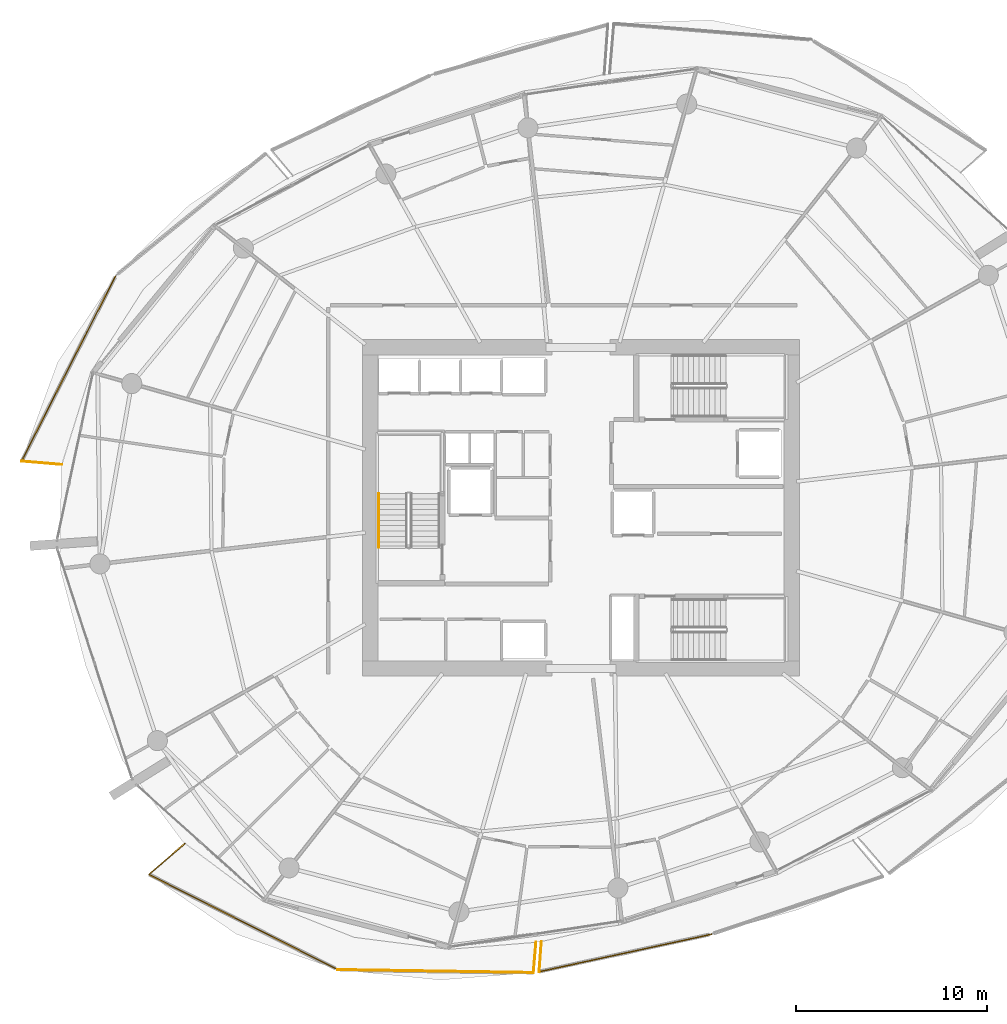
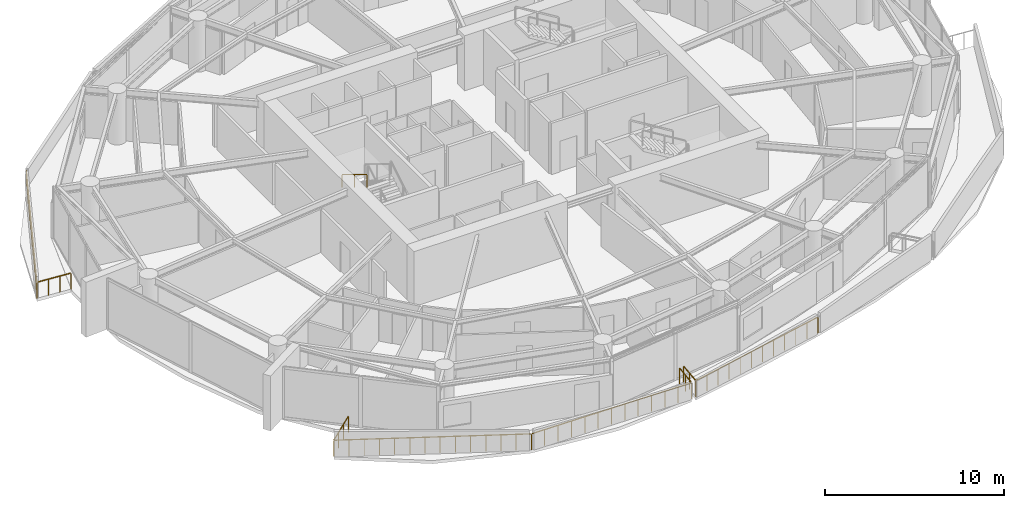
# One storey, part 16 of 20: 9 railings.
"""IFC4 building model written with IfcOpenShell, lengths in metres."""

import ifcopenshell
import ifcopenshell.guid

model = None  # the IFC model being written
_history = None  # IfcOwnerHistory: only IFC2X3 demands one
_inside = {}  # id of a spatial element -> (the spatial element, [elements in it])
_under = {}  # id of a project, library or spatial element -> (it, [spatial elements below it])
_declared = {}  # id of a project -> (the project, [libraries it declares])
_typed = {}  # id of a type object -> (the type object, [elements of that type])
_made_of = {}  # id of a material, layer set ... -> (it, [elements and type objects made of it])


def new_model(schema):
    """Start an empty IFC model of exactly this schema.

    Asked for "IFC4X3", IfcOpenShell would pick the latest addendum, in which some entities
    have other attributes; the version numbers below select the first issue.
    IFC2X3 requires an IfcOwnerHistory on every rooted entity: one is made here for all.
    """
    global model, _history
    if schema == "IFC4X3":
        model = ifcopenshell.file(schema_version=(4, 3, 0, 0))
    else:
        model = ifcopenshell.file(schema=schema)
    _inside.clear()
    _under.clear()
    _declared.clear()
    _typed.clear()
    _made_of.clear()
    _history = None
    if model.schema == "IFC2X3":
        org = make("IfcOrganization", Name="unknown")
        user = make(
            "IfcPersonAndOrganization",
            ThePerson=make("IfcPerson", FamilyName="unknown"),
            TheOrganization=org,
        )
        app = make(
            "IfcApplication",
            ApplicationDeveloper=org,
            Version="unknown",
            ApplicationFullName="unknown",
            ApplicationIdentifier="unknown",
        )
        _history = make(
            "IfcOwnerHistory",
            OwningUser=user,
            OwningApplication=app,
            ChangeAction="ADDED",
            CreationDate=0,
        )
    return model


def make(cls, **values):
    """One entity of the class cls with the attributes given. An attribute that is None is left unset."""
    return model.create_entity(
        cls, **{name: value for name, value in values.items() if value is not None}
    )


def rooted(cls, **values):
    """An entity with a GlobalId (a new one), such as an element, a storey or a relation."""
    return make(cls, GlobalId=ifcopenshell.guid.new(), OwnerHistory=_history, **values)


def si_unit(unit_type, name, prefix=None):
    """IfcSIUnit, for example si_unit("LENGTHUNIT", "METRE", prefix="MILLI")."""
    return make("IfcSIUnit", UnitType=unit_type, Prefix=prefix, Name=name)


def assignment(units):
    """IfcUnitAssignment: the units of a project."""
    return None if units is None else make("IfcUnitAssignment", Units=units)


def point(xyz):
    """IfcCartesianPoint."""
    return None if xyz is None else make("IfcCartesianPoint", Coordinates=xyz)


def direction(xyz):
    """IfcDirection."""
    return None if xyz is None else make("IfcDirection", DirectionRatios=xyz)


def frame(location, z_axis=None, x_axis=None):
    """IfcAxis2Placement3D, a coordinate frame: its origin and axes. An axis left out is left unset."""
    return make(
        "IfcAxis2Placement3D",
        Location=point(location),
        Axis=direction(z_axis),
        RefDirection=direction(x_axis),
    )


def frame_2d(location, x_axis=None):
    """IfcAxis2Placement2D, a coordinate frame in the plane: its origin and x axis."""
    return make(
        "IfcAxis2Placement2D", Location=point(location), RefDirection=direction(x_axis)
    )


def origin():
    """The frame at (0, 0, 0) with its axes left unset."""
    return frame((0.0, 0.0, 0.0))


def origin_2d():
    """The frame at (0, 0) in the plane with its x axis left unset."""
    return frame_2d((0.0, 0.0))


def place(relative_to, where):
    """IfcLocalPlacement: puts the frame where relative to a parent placement (None: the world)."""
    return make(
        "IfcLocalPlacement", PlacementRelTo=relative_to, RelativePlacement=where
    )


def context(
    kind, dimensions, precision=None, world=None, true_north=None, identifier=None
):
    """IfcGeometricRepresentationContext, for example the 3D "Model" context."""
    return make(
        "IfcGeometricRepresentationContext",
        ContextIdentifier=identifier,
        ContextType=kind,
        CoordinateSpaceDimension=dimensions,
        Precision=precision,
        WorldCoordinateSystem=world,
        TrueNorth=true_north,
    )


def subcontext(parent, identifier, kind, view, scale=None):
    """IfcGeometricRepresentationSubContext, for example "Body" below "Model"."""
    return make(
        "IfcGeometricRepresentationSubContext",
        ContextIdentifier=identifier,
        ContextType=kind,
        ParentContext=parent,
        TargetScale=scale,
        TargetView=view,
    )


def project(units=None, contexts=None):
    """IfcProject with its units and contexts."""
    return rooted(
        "IfcProject",
        Name="project",
        RepresentationContexts=contexts,
        UnitsInContext=assignment(units),
    )


def spatial(cls, under=None, at=None, **own):
    """A site, building, storey or space (cls), placed at a placement, below another one or the project."""
    s = rooted(cls, ObjectPlacement=at, **own)
    if under is not None:
        _under.setdefault(under.id(), (under, []))[1].append(s)
    return s


def profile(cls, at=None, kind="AREA", **sizes):
    """A parametric profile (cls). Its sizes go by their IFC names, for example OverallWidth=200.0."""
    return make(cls, ProfileType=kind, Position=at, **sizes)


def rectangle(**sizes):
    """IfcRectangleProfileDef."""
    return profile("IfcRectangleProfileDef", **sizes)


def extrude(swept, where, along, depth):
    """IfcExtrudedAreaSolid: the profile swept, set in the frame where, extruded along a direction by depth."""
    return make(
        "IfcExtrudedAreaSolid",
        SweptArea=swept,
        Position=where,
        ExtrudedDirection=direction(along),
        Depth=depth,
    )


def shape(context_of_items, identifier, shape_type, items):
    """IfcShapeRepresentation: the items that make up one representation, for example the "Body"."""
    return make(
        "IfcShapeRepresentation",
        ContextOfItems=context_of_items,
        RepresentationIdentifier=identifier,
        RepresentationType=shape_type,
        Items=items,
    )


def material(Name=None, Category=None):
    """IfcMaterial."""
    return make("IfcMaterial", Name=Name, Category=Category)


def made_of(thing, what):
    """Note that an element or type object is made of a material, layer set ...; save() writes the relation."""
    if what is not None:
        _made_of.setdefault(what.id(), (what, []))[1].append(thing)
    return thing


def type_object(cls, material=None, **own):
    """A type object (cls), such as IfcWallType, which elements share."""
    return made_of(rooted(cls, **own), material)


def element(
    cls,
    number,
    at=None,
    inside=None,
    cuts=None,
    type_object=None,
    material=None,
    context=None,
    identifier="Body",
    shape_type=None,
    held_by="IfcProductDefinitionShape",
    body=None,
    shapes=None,
    **own,
):
    """One element of the class cls, such as IfcWall. Its Tag is "e" and its number.

    at: its placement. inside: the storey or other place that contains it. cuts: it is an
    opening in that element (IfcRelVoidsElement). A single representation is given by context,
    identifier, shape_type and body (its items); several are given by shapes. held_by: the class
    of the entity that holds the representations. save() writes the other relations.
    """
    e = rooted(cls, Tag="e%d" % number, ObjectPlacement=at, **own)
    if body is not None:
        shapes = [shape(context, identifier, shape_type, body)]
    if shapes is not None:
        e.Representation = make(held_by, Representations=shapes)
    if inside is not None:
        _inside.setdefault(inside.id(), (inside, []))[1].append(e)
    if cuts is not None:
        rooted(
            "IfcRelVoidsElement", RelatingBuildingElement=cuts, RelatedOpeningElement=e
        )
    if type_object is not None:
        _typed.setdefault(type_object.id(), (type_object, []))[1].append(e)
    return made_of(e, material)


def aggregate(whole, parts):
    """IfcRelAggregates: a whole, such as a stair, and the parts it consists of."""
    return rooted("IfcRelAggregates", RelatingObject=whole, RelatedObjects=parts)


def save(model, path):
    """Write the relations noted so far, then the file.

    IfcRelAggregates (storeys below a building ...), IfcRelContainedInSpatialStructure (elements
    in a storey), IfcRelDefinesByType, IfcRelAssociatesMaterial and IfcRelDeclares: one each for
    every whole, place, type object, material and project.
    """
    for whole, parts in _under.values():
        aggregate(whole, parts)
    for where, things in _inside.values():
        rooted(
            "IfcRelContainedInSpatialStructure",
            RelatedElements=things,
            RelatingStructure=where,
        )
    for kind, things in _typed.values():
        rooted("IfcRelDefinesByType", RelatedObjects=things, RelatingType=kind)
    for what, things in _made_of.values():
        rooted("IfcRelAssociatesMaterial", RelatedObjects=things, RelatingMaterial=what)
    for by, libraries in _declared.values():
        rooted("IfcRelDeclares", RelatingContext=by, RelatedDefinitions=libraries)
    model.write(path)


model = new_model("IFC4")

# Units and contexts
model_context = context("Model", 3, precision=1e-05, world=origin(), true_north=direction((0.0, 1.0)))
body_context = subcontext(model_context, "Body", "Model", "MODEL_VIEW")
ifc_project = project(units=[si_unit("LENGTHUNIT", "METRE"), si_unit("AREAUNIT", "SQUARE_METRE"), si_unit("VOLUMEUNIT", "CUBIC_METRE"), si_unit("PLANEANGLEUNIT", "RADIAN"), si_unit("MASSUNIT", "GRAM", prefix="KILO")], contexts=[model_context])

# Site, building, storey
site_placement = place(None, origin())
site = spatial("IfcSite", under=ifc_project, at=site_placement, CompositionType="ELEMENT")
building_placement = place(site_placement, origin())
building = spatial("IfcBuilding", under=site, at=building_placement, Name="Kazma Halo Residences", CompositionType="ELEMENT")
storey_placement = place(building_placement, frame((0.0, 0.0, 157.800048828125)))
storey = spatial("IfcBuildingStorey", under=building, at=storey_placement, Name="L39", CompositionType="ELEMENT", Elevation=157.800048828125)

# Railings
ifc_material_1 = material(Name="Aluminium AW-6063 T6 Brushed Cap Rail", Category="aluminium")
railing_type_1 = type_object("IfcRailingType", Name="RLG-BAL-CAP-1120", PredefinedType="BALUSTRADE", material=ifc_material_1)
railing_1_placement = place(storey_placement, frame((24.101318359375, 54.177001953125, 0.0)))
element("IfcRailing", 1, at=railing_1_placement, inside=storey, type_object=railing_type_1, Name="L39 NW wave balcony guard 3", PredefinedType="BALUSTRADE", context=body_context, shape_type="SweptSolid", body=[
    extrude(rectangle(XDim=0.050048828125, YDim=0.050048828125, at=origin_2d()), frame((-0.019287109375, -0.037841796875, 1.09521484375), z_axis=(-0.452406315064, -0.891811934261, 0.0), x_axis=(0.891811934261, -0.452406315064, 0.0)), (0.0, 0.0, 1.0), 10.825439453125),
    extrude(rectangle(XDim=0.0400390625, YDim=0.0400390625, at=origin_2d()), origin(), (0.0, 0.0, 1.0), 1.05810546875),
    extrude(rectangle(XDim=0.0400390625, YDim=0.0400390625, at=origin_2d()), frame((-0.379638671875, -0.74853515625, 0.0)), (0.0, 0.0, 1.0), 1.05810546875),
    extrude(rectangle(XDim=0.0400390625, YDim=0.0400390625, at=origin_2d()), frame((-0.75927734375, -1.4970703125, 0.0)), (0.0, 0.0, 1.0), 1.05810546875),
    extrude(rectangle(XDim=0.0400390625, YDim=0.0400390625, at=origin_2d()), frame((-1.13916015625, -2.245361328125, 0.0)), (0.0, 0.0, 1.0), 1.05810546875),
    extrude(rectangle(XDim=0.0400390625, YDim=0.0400390625, at=origin_2d()), frame((-1.518798828125, -2.993896484375, 0.0)), (0.0, 0.0, 1.0), 1.05810546875),
    extrude(rectangle(XDim=0.0400390625, YDim=0.0400390625, at=origin_2d()), frame((-1.8984375, -3.742431640625, 0.0)), (0.0, 0.0, 1.0), 1.05810546875),
    extrude(rectangle(XDim=0.0400390625, YDim=0.0400390625, at=origin_2d()), frame((-2.278076171875, -4.490966796875, 0.0)), (0.0, 0.0, 1.0), 1.05810546875),
    extrude(rectangle(XDim=0.0400390625, YDim=0.0400390625, at=origin_2d()), frame((-2.657958984375, -5.2392578125, 0.0)), (0.0, 0.0, 1.0), 1.05810546875),
    extrude(rectangle(XDim=0.0400390625, YDim=0.0400390625, at=origin_2d()), frame((-3.03759765625, -5.98779296875, 0.0)), (0.0, 0.0, 1.0), 1.05810546875),
    extrude(rectangle(XDim=0.0400390625, YDim=0.0400390625, at=origin_2d()), frame((-3.417236328125, -6.736328125, 0.0)), (0.0, 0.0, 1.0), 1.05810546875),
    extrude(rectangle(XDim=0.0400390625, YDim=0.0400390625, at=origin_2d()), frame((-3.796875, -7.48486328125, 0.0)), (0.0, 0.0, 1.0), 1.05810546875),
    extrude(rectangle(XDim=0.0400390625, YDim=0.0400390625, at=origin_2d()), frame((-4.1767578125, -8.233154296875, 0.0)), (0.0, 0.0, 1.0), 1.05810546875),
    extrude(rectangle(XDim=0.0400390625, YDim=0.0400390625, at=origin_2d()), frame((-4.556396484375, -8.981689453125, 0.0)), (0.0, 0.0, 1.0), 1.05810546875),
    extrude(rectangle(XDim=0.0400390625, YDim=0.0400390625, at=origin_2d()), frame((-4.93603515625, -9.730224609375, 0.0)), (0.0, 0.0, 1.0), 1.05810546875),
])
railing_2_placement = place(storey_placement, frame((19.165283203125, 44.44677734375, 0.0)))
element("IfcRailing", 2, at=railing_2_placement, inside=storey, type_object=railing_type_1, Name="L39 NW wave balcony guard 4", PredefinedType="BALUSTRADE", context=body_context, shape_type="SweptSolid", body=[
    extrude(rectangle(XDim=0.050048828125, YDim=0.050048828125, at=origin_2d()), frame((0.04248046875, -0.003662109375, 1.09521484375), z_axis=(0.996412768722, -0.084626203548, 0.0), x_axis=(0.084626203548, 0.996412768722, 0.0)), (0.0, 0.0, 1.0), 2.023681640625),
    extrude(rectangle(XDim=0.0400390625, YDim=0.0400390625, at=origin_2d()), origin(), (0.0, 0.0, 1.0), 1.05810546875),
    extrude(rectangle(XDim=0.0400390625, YDim=0.0400390625, at=origin_2d()), frame((0.700439453125, -0.0595703125, 0.0)), (0.0, 0.0, 1.0), 1.05810546875),
    extrude(rectangle(XDim=0.0400390625, YDim=0.0400390625, at=origin_2d()), frame((1.40087890625, -0.118896484375, 0.0)), (0.0, 0.0, 1.0), 1.05810546875),
    extrude(rectangle(XDim=0.0400390625, YDim=0.0400390625, at=origin_2d()), frame((2.101318359375, -0.178466796875, 0.0)), (0.0, 0.0, 1.0), 1.05810546875),
])
railing_3_placement = place(storey_placement, frame((27.705322265625, 24.451416015625, 0.0)))
element("IfcRailing", 3, at=railing_3_placement, inside=storey, type_object=railing_type_1, Name="L39 SW wave balcony guard 1", PredefinedType="BALUSTRADE", context=body_context, shape_type="SweptSolid", body=[
    extrude(rectangle(XDim=0.050048828125, YDim=0.050048828125, at=origin_2d()), frame((-0.0322265625, -0.02783203125, 1.09521484375), z_axis=(-0.756413211958, -0.65409407028, 0.0), x_axis=(0.65409407028, -0.756413211958, 0.0)), (0.0, 0.0, 1.0), 2.39404296875),
    extrude(rectangle(XDim=0.0400390625, YDim=0.0400390625, at=origin_2d()), origin(), (0.0, 0.0, 1.0), 1.05810546875),
    extrude(rectangle(XDim=0.0400390625, YDim=0.0400390625, at=origin_2d()), frame((-0.625, -0.54052734375, 0.0)), (0.0, 0.0, 1.0), 1.05810546875),
    extrude(rectangle(XDim=0.0400390625, YDim=0.0400390625, at=origin_2d()), frame((-1.250244140625, -1.0810546875, 0.0)), (0.0, 0.0, 1.0), 1.05810546875),
    extrude(rectangle(XDim=0.0400390625, YDim=0.0400390625, at=origin_2d()), frame((-1.875244140625, -1.62158203125, 0.0)), (0.0, 0.0, 1.0), 1.05810546875),
])
railing_4_placement = place(storey_placement, frame((25.830078125, 22.829833984375, 0.0)))
element("IfcRailing", 4, at=railing_4_placement, inside=storey, type_object=railing_type_1, Name="L39 SW wave balcony guard 2", PredefinedType="BALUSTRADE", context=body_context, shape_type="SweptSolid", body=[
    extrude(rectangle(XDim=0.050048828125, YDim=0.050048828125, at=origin_2d()), frame((0.0380859375, -0.019287109375, 1.09521484375), z_axis=(0.892732917122, -0.450586216707, 0.0), x_axis=(0.450586216707, 0.892732917122, 0.0)), (0.0, 0.0, 1.0), 10.965576171875),
    extrude(rectangle(XDim=0.0400390625, YDim=0.0400390625, at=origin_2d()), origin(), (0.0, 0.0, 1.0), 1.05810546875),
    extrude(rectangle(XDim=0.0400390625, YDim=0.0400390625, at=origin_2d()), frame((0.7587890625, -0.383056640625, 0.0)), (0.0, 0.0, 1.0), 1.05810546875),
    extrude(rectangle(XDim=0.0400390625, YDim=0.0400390625, at=origin_2d()), frame((1.517822265625, -0.76611328125, 0.0)), (0.0, 0.0, 1.0), 1.05810546875),
    extrude(rectangle(XDim=0.0400390625, YDim=0.0400390625, at=origin_2d()), frame((2.276611328125, -1.149169921875, 0.0)), (0.0, 0.0, 1.0), 1.05810546875),
    extrude(rectangle(XDim=0.0400390625, YDim=0.0400390625, at=origin_2d()), frame((3.035400390625, -1.531982421875, 0.0)), (0.0, 0.0, 1.0), 1.05810546875),
    extrude(rectangle(XDim=0.0400390625, YDim=0.0400390625, at=origin_2d()), frame((3.79443359375, -1.9150390625, 0.0)), (0.0, 0.0, 1.0), 1.05810546875),
    extrude(rectangle(XDim=0.0400390625, YDim=0.0400390625, at=origin_2d()), frame((4.55322265625, -2.298095703125, 0.0)), (0.0, 0.0, 1.0), 1.05810546875),
    extrude(rectangle(XDim=0.0400390625, YDim=0.0400390625, at=origin_2d()), frame((5.31201171875, -2.68115234375, 0.0)), (0.0, 0.0, 1.0), 1.05810546875),
    extrude(rectangle(XDim=0.0400390625, YDim=0.0400390625, at=origin_2d()), frame((6.07080078125, -3.064208984375, 0.0)), (0.0, 0.0, 1.0), 1.05810546875),
    extrude(rectangle(XDim=0.0400390625, YDim=0.0400390625, at=origin_2d()), frame((6.829833984375, -3.447265625, 0.0)), (0.0, 0.0, 1.0), 1.05810546875),
    extrude(rectangle(XDim=0.0400390625, YDim=0.0400390625, at=origin_2d()), frame((7.588623046875, -3.830078125, 0.0)), (0.0, 0.0, 1.0), 1.05810546875),
    extrude(rectangle(XDim=0.0400390625, YDim=0.0400390625, at=origin_2d()), frame((8.347412109375, -4.213134765625, 0.0)), (0.0, 0.0, 1.0), 1.05810546875),
    extrude(rectangle(XDim=0.0400390625, YDim=0.0400390625, at=origin_2d()), frame((9.1064453125, -4.59619140625, 0.0)), (0.0, 0.0, 1.0), 1.05810546875),
    extrude(rectangle(XDim=0.0400390625, YDim=0.0400390625, at=origin_2d()), frame((9.865234375, -4.979248046875, 0.0)), (0.0, 0.0, 1.0), 1.05810546875),
])
railing_5_placement = place(storey_placement, frame((35.6953125, 17.8505859375, 0.0)))
element("IfcRailing", 5, at=railing_5_placement, inside=storey, type_object=railing_type_1, Name="L39 SW wave balcony guard 3", PredefinedType="BALUSTRADE", context=body_context, shape_type="SweptSolid", body=[
    extrude(rectangle(XDim=0.050048828125, YDim=0.050048828125, at=origin_2d()), frame((0.04248046875, -0.000732421875, 1.09521484375), z_axis=(0.999886550077, -0.015062767851, 0.0), x_axis=(0.015062767851, 0.999886550077, 0.0)), (0.0, 0.0, 1.0), 10.158447265625),
    extrude(rectangle(XDim=0.0400390625, YDim=0.0400390625, at=origin_2d()), origin(), (0.0, 0.0, 1.0), 1.05810546875),
    extrude(rectangle(XDim=0.0400390625, YDim=0.0400390625, at=origin_2d()), frame((0.853515625, -0.012939453125, 0.0)), (0.0, 0.0, 1.0), 1.05810546875),
    extrude(rectangle(XDim=0.0400390625, YDim=0.0400390625, at=origin_2d()), frame((1.70703125, -0.025634765625, 0.0)), (0.0, 0.0, 1.0), 1.05810546875),
    extrude(rectangle(XDim=0.0400390625, YDim=0.0400390625, at=origin_2d()), frame((2.560546875, -0.03857421875, 0.0)), (0.0, 0.0, 1.0), 1.05810546875),
    extrude(rectangle(XDim=0.0400390625, YDim=0.0400390625, at=origin_2d()), frame((3.4140625, -0.051513671875, 0.0)), (0.0, 0.0, 1.0), 1.05810546875),
    extrude(rectangle(XDim=0.0400390625, YDim=0.0400390625, at=origin_2d()), frame((4.267578125, -0.064208984375, 0.0)), (0.0, 0.0, 1.0), 1.05810546875),
    extrude(rectangle(XDim=0.0400390625, YDim=0.0400390625, at=origin_2d()), frame((5.12109375, -0.0771484375, 0.0)), (0.0, 0.0, 1.0), 1.05810546875),
    extrude(rectangle(XDim=0.0400390625, YDim=0.0400390625, at=origin_2d()), frame((5.974853515625, -0.090087890625, 0.0)), (0.0, 0.0, 1.0), 1.05810546875),
    extrude(rectangle(XDim=0.0400390625, YDim=0.0400390625, at=origin_2d()), frame((6.828369140625, -0.102783203125, 0.0)), (0.0, 0.0, 1.0), 1.05810546875),
    extrude(rectangle(XDim=0.0400390625, YDim=0.0400390625, at=origin_2d()), frame((7.681884765625, -0.11572265625, 0.0)), (0.0, 0.0, 1.0), 1.05810546875),
    extrude(rectangle(XDim=0.0400390625, YDim=0.0400390625, at=origin_2d()), frame((8.535400390625, -0.128662109375, 0.0)), (0.0, 0.0, 1.0), 1.05810546875),
    extrude(rectangle(XDim=0.0400390625, YDim=0.0400390625, at=origin_2d()), frame((9.388916015625, -0.141357421875, 0.0)), (0.0, 0.0, 1.0), 1.05810546875),
    extrude(rectangle(XDim=0.0400390625, YDim=0.0400390625, at=origin_2d()), frame((10.242431640625, -0.154296875, 0.0)), (0.0, 0.0, 1.0), 1.05810546875),
])
railing_6_placement = place(storey_placement, frame((45.937744140625, 17.6962890625, 0.0)))
element("IfcRailing", 6, at=railing_6_placement, inside=storey, type_object=railing_type_1, Name="L39 SW wave balcony guard 4", PredefinedType="BALUSTRADE", context=body_context, shape_type="SweptSolid", body=[
    extrude(rectangle(XDim=0.050048828125, YDim=0.050048828125, at=origin_2d()), frame((0.003662109375, 0.04248046875, 1.09521484375), z_axis=(0.084507718361, 0.996422824677, 0.0), x_axis=(-0.996422824677, 0.084507718361, 0.0)), (0.0, 0.0, 1.0), 1.50390625),
    extrude(rectangle(XDim=0.0400390625, YDim=0.0400390625, at=origin_2d()), origin(), (0.0, 0.0, 1.0), 1.05810546875),
    extrude(rectangle(XDim=0.0400390625, YDim=0.0400390625, at=origin_2d()), frame((0.067138671875, 0.79150390625, 0.0)), (0.0, 0.0, 1.0), 1.05810546875),
    extrude(rectangle(XDim=0.0400390625, YDim=0.0400390625, at=origin_2d()), frame((0.13427734375, 1.583251953125, 0.0)), (0.0, 0.0, 1.0), 1.05810546875),
])
railing_7_placement = place(storey_placement, frame((46.3544921875, 19.32177734375, 0.0)))
element("IfcRailing", 7, at=railing_7_placement, inside=storey, type_object=railing_type_1, Name="L39 SSE wave balcony guard 1", PredefinedType="BALUSTRADE", context=body_context, shape_type="SweptSolid", body=[
    extrude(rectangle(XDim=0.050048828125, YDim=0.050048828125, at=origin_2d()), frame((-0.003173828125, -0.04248046875, 1.09521484375), z_axis=(-0.072418651554, -0.997374322362, 0.0), x_axis=(0.997374322362, -0.072418651554, 0.0)), (0.0, 0.0, 1.0), 1.49951171875),
    extrude(rectangle(XDim=0.0400390625, YDim=0.0400390625, at=origin_2d()), origin(), (0.0, 0.0, 1.0), 1.05810546875),
    extrude(rectangle(XDim=0.0400390625, YDim=0.0400390625, at=origin_2d()), frame((-0.057373046875, -0.7900390625, 0.0)), (0.0, 0.0, 1.0), 1.05810546875),
    extrude(rectangle(XDim=0.0400390625, YDim=0.0400390625, at=origin_2d()), frame((-0.11474609375, -1.580322265625, 0.0)), (0.0, 0.0, 1.0), 1.05810546875),
])
railing_8_placement = place(storey_placement, frame((46.23974609375, 17.741455078125, 0.0)))
element("IfcRailing", 8, at=railing_8_placement, inside=storey, type_object=railing_type_1, Name="L39 SSE wave balcony guard 2", PredefinedType="BALUSTRADE", context=body_context, shape_type="SweptSolid", body=[
    extrude(rectangle(XDim=0.050048828125, YDim=0.050048828125, at=origin_2d()), frame((0.04150390625, 0.009033203125, 1.09521484375), z_axis=(0.977179471734, 0.212415347895, 0.0), x_axis=(-0.212415347895, 0.977179471734, 0.0)), (0.0, 0.0, 1.0), 9.131591796875),
    extrude(rectangle(XDim=0.0400390625, YDim=0.0400390625, at=origin_2d()), origin(), (0.0, 0.0, 1.0), 1.05810546875),
    extrude(rectangle(XDim=0.0400390625, YDim=0.0400390625, at=origin_2d()), frame((0.81884765625, 0.177978515625, 0.0)), (0.0, 0.0, 1.0), 1.05810546875),
    extrude(rectangle(XDim=0.0400390625, YDim=0.0400390625, at=origin_2d()), frame((1.637451171875, 0.35595703125, 0.0)), (0.0, 0.0, 1.0), 1.05810546875),
    extrude(rectangle(XDim=0.0400390625, YDim=0.0400390625, at=origin_2d()), frame((2.456298828125, 0.533935546875, 0.0)), (0.0, 0.0, 1.0), 1.05810546875),
    extrude(rectangle(XDim=0.0400390625, YDim=0.0400390625, at=origin_2d()), frame((3.275146484375, 0.7119140625, 0.0)), (0.0, 0.0, 1.0), 1.05810546875),
    extrude(rectangle(XDim=0.0400390625, YDim=0.0400390625, at=origin_2d()), frame((4.09375, 0.889892578125, 0.0)), (0.0, 0.0, 1.0), 1.05810546875),
    extrude(rectangle(XDim=0.0400390625, YDim=0.0400390625, at=origin_2d()), frame((4.91259765625, 1.06787109375, 0.0)), (0.0, 0.0, 1.0), 1.05810546875),
    extrude(rectangle(XDim=0.0400390625, YDim=0.0400390625, at=origin_2d()), frame((5.731201171875, 1.245849609375, 0.0)), (0.0, 0.0, 1.0), 1.05810546875),
    extrude(rectangle(XDim=0.0400390625, YDim=0.0400390625, at=origin_2d()), frame((6.550048828125, 1.423828125, 0.0)), (0.0, 0.0, 1.0), 1.05810546875),
    extrude(rectangle(XDim=0.0400390625, YDim=0.0400390625, at=origin_2d()), frame((7.368896484375, 1.601806640625, 0.0)), (0.0, 0.0, 1.0), 1.05810546875),
    extrude(rectangle(XDim=0.0400390625, YDim=0.0400390625, at=origin_2d()), frame((8.1875, 1.77978515625, 0.0)), (0.0, 0.0, 1.0), 1.05810546875),
    extrude(rectangle(XDim=0.0400390625, YDim=0.0400390625, at=origin_2d()), frame((9.00634765625, 1.957763671875, 0.0)), (0.0, 0.0, 1.0), 1.05810546875),
])
ifc_material_2 = material(Name="Brushed Stainless Steel", Category="steel")
railing_type_2 = type_object("IfcRailingType", Name="RLG-STAIR-HND-900", PredefinedType="HANDRAIL", material=ifc_material_2)
railing_9_placement = place(storey_placement, frame((37.85009765625, 42.75, 2.04541015625)))
element("IfcRailing", 9, at=railing_9_placement, inside=storey, type_object=railing_type_2, Name="L39 ST-01 stair handrail 2", PredefinedType="HANDRAIL", context=body_context, shape_type="SweptSolid", body=[
    extrude(rectangle(XDim=0.050048828125, YDim=0.050048828125, at=origin_2d()), frame((0.0, -0.036376953125, 0.89697265625), z_axis=(0.0, -0.854169791009, 0.51999420009), x_axis=(1.0, 0.0, 0.0)), (0.0, 0.0, 1.0), 3.193115234375),
    extrude(rectangle(XDim=0.0400390625, YDim=0.0400390625, at=origin_2d()), origin(), (0.0, 0.0, 1.0), 0.837890625),
    extrude(rectangle(XDim=0.0400390625, YDim=0.0400390625, at=origin_2d()), frame((0.0, -1.39990234375, 0.852294921875)), (0.0, 0.0, 1.0), 0.837890625),
    extrude(rectangle(XDim=0.0400390625, YDim=0.0400390625, at=origin_2d()), frame((0.0, -2.800048828125, 1.70458984375)), (0.0, 0.0, 1.0), 0.837890625),
])

save(model, "model.ifc")
